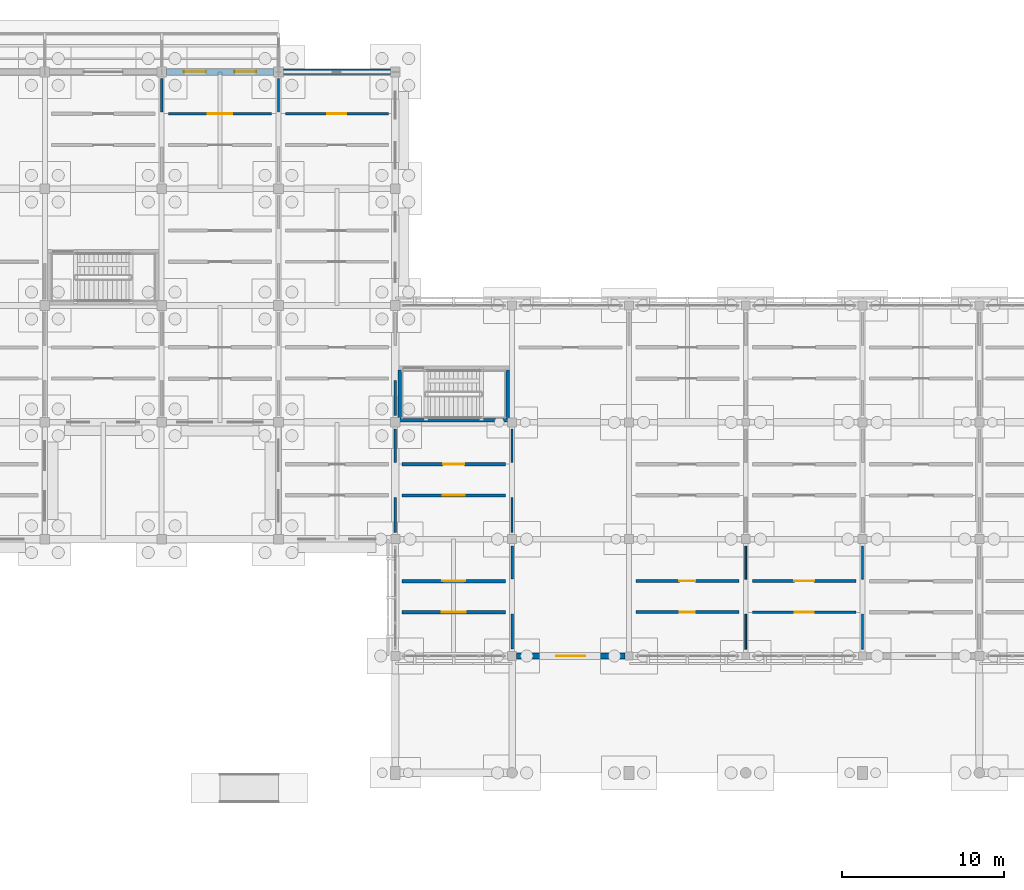
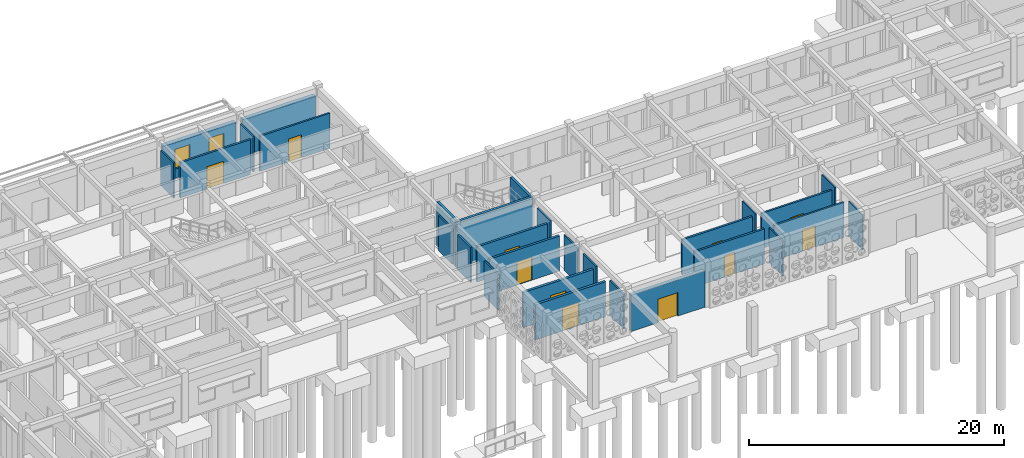
# One storey, part 72 of 111: 29 walls, 11 doors, 2 windows, 13 openings.
"""IFC4 building model written with IfcOpenShell, lengths in metres."""

import ifcopenshell
import ifcopenshell.guid

model = None  # the IFC model being written
_history = None  # IfcOwnerHistory: only IFC2X3 demands one
_inside = {}  # id of a spatial element -> (the spatial element, [elements in it])
_under = {}  # id of a project, library or spatial element -> (it, [spatial elements below it])
_declared = {}  # id of a project -> (the project, [libraries it declares])
_typed = {}  # id of a type object -> (the type object, [elements of that type])
_made_of = {}  # id of a material, layer set ... -> (it, [elements and type objects made of it])


def new_model(schema):
    """Start an empty IFC model of exactly this schema.

    Asked for "IFC4X3", IfcOpenShell would pick the latest addendum, in which some entities
    have other attributes; the version numbers below select the first issue.
    IFC2X3 requires an IfcOwnerHistory on every rooted entity: one is made here for all.
    """
    global model, _history
    if schema == "IFC4X3":
        model = ifcopenshell.file(schema_version=(4, 3, 0, 0))
    else:
        model = ifcopenshell.file(schema=schema)
    _inside.clear()
    _under.clear()
    _declared.clear()
    _typed.clear()
    _made_of.clear()
    _history = None
    if model.schema == "IFC2X3":
        org = make("IfcOrganization", Name="unknown")
        user = make(
            "IfcPersonAndOrganization",
            ThePerson=make("IfcPerson", FamilyName="unknown"),
            TheOrganization=org,
        )
        app = make(
            "IfcApplication",
            ApplicationDeveloper=org,
            Version="unknown",
            ApplicationFullName="unknown",
            ApplicationIdentifier="unknown",
        )
        _history = make(
            "IfcOwnerHistory",
            OwningUser=user,
            OwningApplication=app,
            ChangeAction="ADDED",
            CreationDate=0,
        )
    return model


def make(cls, **values):
    """One entity of the class cls with the attributes given. An attribute that is None is left unset."""
    return model.create_entity(
        cls, **{name: value for name, value in values.items() if value is not None}
    )


def rooted(cls, **values):
    """An entity with a GlobalId (a new one), such as an element, a storey or a relation."""
    return make(cls, GlobalId=ifcopenshell.guid.new(), OwnerHistory=_history, **values)


def si_unit(unit_type, name, prefix=None):
    """IfcSIUnit, for example si_unit("LENGTHUNIT", "METRE", prefix="MILLI")."""
    return make("IfcSIUnit", UnitType=unit_type, Prefix=prefix, Name=name)


def assignment(units):
    """IfcUnitAssignment: the units of a project."""
    return None if units is None else make("IfcUnitAssignment", Units=units)


def point(xyz):
    """IfcCartesianPoint."""
    return None if xyz is None else make("IfcCartesianPoint", Coordinates=xyz)


def direction(xyz):
    """IfcDirection."""
    return None if xyz is None else make("IfcDirection", DirectionRatios=xyz)


def frame(location, z_axis=None, x_axis=None):
    """IfcAxis2Placement3D, a coordinate frame: its origin and axes. An axis left out is left unset."""
    return make(
        "IfcAxis2Placement3D",
        Location=point(location),
        Axis=direction(z_axis),
        RefDirection=direction(x_axis),
    )


def frame_2d(location, x_axis=None):
    """IfcAxis2Placement2D, a coordinate frame in the plane: its origin and x axis."""
    return make(
        "IfcAxis2Placement2D", Location=point(location), RefDirection=direction(x_axis)
    )


def origin():
    """The frame at (0, 0, 0) with its axes left unset."""
    return frame((0.0, 0.0, 0.0))


def place(relative_to, where):
    """IfcLocalPlacement: puts the frame where relative to a parent placement (None: the world)."""
    return make(
        "IfcLocalPlacement", PlacementRelTo=relative_to, RelativePlacement=where
    )


def context(
    kind, dimensions, precision=None, world=None, true_north=None, identifier=None
):
    """IfcGeometricRepresentationContext, for example the 3D "Model" context."""
    return make(
        "IfcGeometricRepresentationContext",
        ContextIdentifier=identifier,
        ContextType=kind,
        CoordinateSpaceDimension=dimensions,
        Precision=precision,
        WorldCoordinateSystem=world,
        TrueNorth=true_north,
    )


def subcontext(parent, identifier, kind, view, scale=None):
    """IfcGeometricRepresentationSubContext, for example "Body" below "Model"."""
    return make(
        "IfcGeometricRepresentationSubContext",
        ContextIdentifier=identifier,
        ContextType=kind,
        ParentContext=parent,
        TargetScale=scale,
        TargetView=view,
    )


def project(units=None, contexts=None):
    """IfcProject with its units and contexts."""
    return rooted(
        "IfcProject",
        Name="project",
        RepresentationContexts=contexts,
        UnitsInContext=assignment(units),
    )


def spatial(cls, under=None, at=None, **own):
    """A site, building, storey or space (cls), placed at a placement, below another one or the project."""
    s = rooted(cls, ObjectPlacement=at, **own)
    if under is not None:
        _under.setdefault(under.id(), (under, []))[1].append(s)
    return s


def profile(cls, at=None, kind="AREA", **sizes):
    """A parametric profile (cls). Its sizes go by their IFC names, for example OverallWidth=200.0."""
    return make(cls, ProfileType=kind, Position=at, **sizes)


def rectangle(**sizes):
    """IfcRectangleProfileDef."""
    return profile("IfcRectangleProfileDef", **sizes)


def extrude(swept, where, along, depth):
    """IfcExtrudedAreaSolid: the profile swept, set in the frame where, extruded along a direction by depth."""
    return make(
        "IfcExtrudedAreaSolid",
        SweptArea=swept,
        Position=where,
        ExtrudedDirection=direction(along),
        Depth=depth,
    )


def shape(context_of_items, identifier, shape_type, items):
    """IfcShapeRepresentation: the items that make up one representation, for example the "Body"."""
    return make(
        "IfcShapeRepresentation",
        ContextOfItems=context_of_items,
        RepresentationIdentifier=identifier,
        RepresentationType=shape_type,
        Items=items,
    )


def material(Name=None, Category=None):
    """IfcMaterial."""
    return make("IfcMaterial", Name=Name, Category=Category)


def layer(
    of_material, thickness, ventilated=None, Name=None, Category=None, Priority=None
):
    """IfcMaterialLayer: one layer of a wall or slab, of a material (None: an air gap)."""
    return make(
        "IfcMaterialLayer",
        Material=of_material,
        LayerThickness=thickness,
        IsVentilated=ventilated,
        Name=Name,
        Category=Category,
        Priority=Priority,
    )


def layer_set(layers, Name=None):
    """IfcMaterialLayerSet."""
    return make("IfcMaterialLayerSet", MaterialLayers=layers, LayerSetName=Name)


def made_of(thing, what):
    """Note that an element or type object is made of a material, layer set ...; save() writes the relation."""
    if what is not None:
        _made_of.setdefault(what.id(), (what, []))[1].append(thing)
    return thing


def type_object(cls, material=None, **own):
    """A type object (cls), such as IfcWallType, which elements share."""
    return made_of(rooted(cls, **own), material)


def element(
    cls,
    number,
    at=None,
    inside=None,
    cuts=None,
    type_object=None,
    material=None,
    context=None,
    identifier="Body",
    shape_type=None,
    held_by="IfcProductDefinitionShape",
    body=None,
    shapes=None,
    **own,
):
    """One element of the class cls, such as IfcWall. Its Tag is "e" and its number.

    at: its placement. inside: the storey or other place that contains it. cuts: it is an
    opening in that element (IfcRelVoidsElement). A single representation is given by context,
    identifier, shape_type and body (its items); several are given by shapes. held_by: the class
    of the entity that holds the representations. save() writes the other relations.
    """
    e = rooted(cls, Tag="e%d" % number, ObjectPlacement=at, **own)
    if body is not None:
        shapes = [shape(context, identifier, shape_type, body)]
    if shapes is not None:
        e.Representation = make(held_by, Representations=shapes)
    if inside is not None:
        _inside.setdefault(inside.id(), (inside, []))[1].append(e)
    if cuts is not None:
        rooted(
            "IfcRelVoidsElement", RelatingBuildingElement=cuts, RelatedOpeningElement=e
        )
    if type_object is not None:
        _typed.setdefault(type_object.id(), (type_object, []))[1].append(e)
    return made_of(e, material)


def fill(opening, filler):
    """IfcRelFillsElement: the door or window that sits in an opening."""
    return rooted(
        "IfcRelFillsElement",
        RelatingOpeningElement=opening,
        RelatedBuildingElement=filler,
    )


def aggregate(whole, parts):
    """IfcRelAggregates: a whole, such as a stair, and the parts it consists of."""
    return rooted("IfcRelAggregates", RelatingObject=whole, RelatedObjects=parts)


def save(model, path):
    """Write the relations noted so far, then the file.

    IfcRelAggregates (storeys below a building ...), IfcRelContainedInSpatialStructure (elements
    in a storey), IfcRelDefinesByType, IfcRelAssociatesMaterial and IfcRelDeclares: one each for
    every whole, place, type object, material and project.
    """
    for whole, parts in _under.values():
        aggregate(whole, parts)
    for where, things in _inside.values():
        rooted(
            "IfcRelContainedInSpatialStructure",
            RelatedElements=things,
            RelatingStructure=where,
        )
    for kind, things in _typed.values():
        rooted("IfcRelDefinesByType", RelatedObjects=things, RelatingType=kind)
    for what, things in _made_of.values():
        rooted("IfcRelAssociatesMaterial", RelatedObjects=things, RelatingMaterial=what)
    for by, libraries in _declared.values():
        rooted("IfcRelDeclares", RelatingContext=by, RelatedDefinitions=libraries)
    model.write(path)


model = new_model("IFC4")

# Units and contexts
model_context = context("Model", 3, precision=1e-05, world=origin(), true_north=direction((0.0, 1.0)))
body_context = subcontext(model_context, "Body", "Model", "MODEL_VIEW")
ifc_project = project(units=[si_unit("LENGTHUNIT", "METRE"), si_unit("AREAUNIT", "SQUARE_METRE"), si_unit("VOLUMEUNIT", "CUBIC_METRE"), si_unit("PLANEANGLEUNIT", "RADIAN"), si_unit("MASSUNIT", "GRAM", prefix="KILO")], contexts=[model_context])

# Site, building, storey
site_placement = place(None, origin())
site = spatial("IfcSite", under=ifc_project, at=site_placement, CompositionType="ELEMENT")
building_placement = place(site_placement, origin())
building = spatial("IfcBuilding", under=site, at=building_placement, Name="Aldebral Square Health Centre", CompositionType="ELEMENT")
storey_placement = place(building_placement, origin())
storey = spatial("IfcBuildingStorey", under=building, at=storey_placement, Name="L00", CompositionType="ELEMENT", Elevation=0.0)

# Wall
ifc_material_1 = material(Name="Cream cantera stone and concrete wall C35/45", Category="masonry")
ifc_layer_1 = layer(ifc_material_1, 0.340087890625, Name="Cream cantera stone and concrete wall C35/45", Category="masonry")
ifc_layer_set_1 = layer_set([ifc_layer_1], Name="Cream cantera stone and concrete wall C35/45")
wall_type_1 = type_object("IfcWallType", Name="EW-CAN-340", PredefinedType="SOLIDWALL", material=ifc_layer_set_1)
wall_1_placement = place(storey_placement, frame((64.5, 115.199951171875, 0.0), z_axis=(0.0, 0.0, 1.0), x_axis=(-1.0, 0.0, 0.0)))
element("IfcWall", 1, at=wall_1_placement, inside=storey, type_object=wall_type_1, Name="L00 V2 exterior wall L00-V2-08-15-N", PredefinedType="SOLIDWALL", context=body_context, shape_type="SweptSolid", body=[
    extrude(rectangle(XDim=6.60009765625, YDim=0.340087890625, at=frame_2d((3.300048828125, 0.0))), origin(), (0.0, 0.0, 1.0), 3.469970703125),
])

# Wall, opening, door
wall_2_placement = place(storey_placement, frame((78.949951171875, 79.199951171875, 0.0), z_axis=(0.0, 0.0, 1.0), x_axis=(-1.0, 0.0, 0.0)))
wall_2 = element("IfcWall", 2, at=wall_2_placement, inside=storey, type_object=wall_type_1, Name="L00 V1 exterior wall L00-V1-10-11-S", PredefinedType="SOLIDWALL", context=body_context, shape_type="SweptSolid", body=[
    extrude(rectangle(XDim=6.675048828125, YDim=0.340087890625, at=frame_2d((3.33740234375, 0.0))), origin(), (0.0, 0.0, 1.0), 3.469970703125),
])
opening_1_placement = place(wall_2_placement, frame((2.4375, 0.0, 0.0)))
opening_1 = element("IfcOpeningElement", 3, at=opening_1_placement, cuts=wall_2, Name="Opening D-EX01", PredefinedType="OPENING", context=body_context, shape_type="SweptSolid", body=[
    extrude(rectangle(XDim=1.800048828125, YDim=2.25, at=frame_2d((0.89990234375, 1.125))), frame((0.0, 0.18017578125, 0.0), z_axis=(0.0, -1.0, 0.0), x_axis=(1.0, 0.0, 0.0)), (0.0, 0.0, 1.0), 0.360107421875),
])
ifc_material_2 = material(Name="Anodised aluminium and laminated safety glass", Category="aluminium")
door_type_1 = type_object("IfcDoorType", Name="DR-EX-180", OperationType="DOUBLE_DOOR_SINGLE_SWING", PredefinedType="DOOR", material=ifc_material_2)
door_1_placement = place(opening_1_placement, origin())
door_1 = element("IfcDoor", 4, at=door_1_placement, inside=storey, type_object=door_type_1, Name="L00 exterior door D-EX01", OperationType="DOUBLE_DOOR_SINGLE_SWING", OverallHeight=2.25, OverallWidth=1.800048828125, PredefinedType="DOOR", context=body_context, shape_type="SweptSolid", body=[
    extrude(rectangle(XDim=1.800048828125, YDim=2.25, at=frame_2d((0.89990234375, 1.125))), frame((0.0, 0.02490234375, 0.0), z_axis=(0.0, -1.0, 0.0), x_axis=(1.0, 0.0, 0.0)), (0.0, 0.0, 1.0), 0.050048828125),
])
fill(opening_1, door_1)

# Wall, openings, windows
ifc_layer_2 = layer(ifc_material_1, 0.360107421875, Name="Cream cantera stone and concrete wall C35/45", Category="masonry")
ifc_layer_set_2 = layer_set([ifc_layer_2], Name="Cream cantera stone and concrete wall C35/45")
wall_type_2 = type_object("IfcWallType", Name="EW-CAN-360", PredefinedType="SOLIDWALL", material=ifc_layer_set_2)
wall_3_placement = place(storey_placement, frame((57.300048828125, 115.199951171875, 0.0), z_axis=(0.0, 0.0, 1.0), x_axis=(-1.0, 0.0, 0.0)))
wall_3 = element("IfcWall", 5, at=wall_3_placement, inside=storey, type_object=wall_type_2, Name="L00 V2 exterior wall L00-V2-07-15-N", PredefinedType="SOLIDWALL", context=body_context, shape_type="SweptSolid", body=[
    extrude(rectangle(XDim=6.60009765625, YDim=0.360107421875, at=frame_2d((3.300048828125, 0.0))), origin(), (0.0, 0.0, 1.0), 3.469970703125),
])
opening_2_placement = place(wall_3_placement, frame((1.074951171875, 0.0, 0.89990234375)))
opening_2 = element("IfcOpeningElement", 6, at=opening_2_placement, cuts=wall_3, Name="Opening W49", PredefinedType="OPENING", context=body_context, shape_type="SweptSolid", body=[
    extrude(rectangle(XDim=1.35009765625, YDim=1.8798828125, at=frame_2d((0.675048828125, 0.93994140625))), frame((0.0, 0.18994140625, 0.0), z_axis=(0.0, -1.0, 0.0), x_axis=(1.0, 0.0, 0.0)), (0.0, 0.0, 1.0), 0.380126953125),
])
opening_3_placement = place(wall_3_placement, frame((4.175048828125, 0.0, 0.89990234375)))
opening_3 = element("IfcOpeningElement", 7, at=opening_3_placement, cuts=wall_3, Name="Opening W49", PredefinedType="OPENING", context=body_context, shape_type="SweptSolid", body=[
    extrude(rectangle(XDim=1.35009765625, YDim=1.8798828125, at=frame_2d((0.675048828125, 0.93994140625))), frame((0.0, 0.18994140625, 0.0), z_axis=(0.0, -1.0, 0.0), x_axis=(1.0, 0.0, 0.0)), (0.0, 0.0, 1.0), 0.380126953125),
])
ifc_material_3 = material(Name="Thermally broken aluminium and low-E glass", Category="aluminium")
window_type = type_object("IfcWindowType", Name="WIN-W49", PartitioningType="SINGLE_PANEL", PredefinedType="WINDOW", material=ifc_material_3)
window_1_placement = place(opening_2_placement, origin())
window_1 = element("IfcWindow", 8, at=window_1_placement, inside=storey, type_object=window_type, Name="L00 clinical window L00-V2-07-15-N.1", OverallHeight=1.8798828125, OverallWidth=1.35009765625, PartitioningType="SINGLE_PANEL", PredefinedType="WINDOW", context=body_context, shape_type="SweptSolid", body=[
    extrude(rectangle(XDim=1.35009765625, YDim=1.8798828125, at=frame_2d((0.675048828125, 0.93994140625))), frame((0.0, 0.030029296875, 0.0), z_axis=(0.0, -1.0, 0.0), x_axis=(1.0, 0.0, 0.0)), (0.0, 0.0, 1.0), 0.06005859375),
])
fill(opening_2, window_1)
window_2_placement = place(opening_3_placement, origin())
window_2 = element("IfcWindow", 9, at=window_2_placement, inside=storey, type_object=window_type, Name="L00 clinical window L00-V2-07-15-N.2", OverallHeight=1.8798828125, OverallWidth=1.35009765625, PartitioningType="SINGLE_PANEL", PredefinedType="WINDOW", context=body_context, shape_type="SweptSolid", body=[
    extrude(rectangle(XDim=1.35009765625, YDim=1.8798828125, at=frame_2d((0.675048828125, 0.93994140625))), frame((0.0, 0.030029296875, 0.0), z_axis=(0.0, -1.0, 0.0), x_axis=(1.0, 0.0, 0.0)), (0.0, 0.0, 1.0), 0.06005859375),
])
fill(opening_3, window_2)

# Wall, opening, door
ifc_material_4 = material(Name="Concrete C35/45 compartment wall", Category="concrete")
ifc_layer_3 = layer(ifc_material_4, 0.199951171875, Name="Concrete C35/45 compartment wall", Category="concrete")
ifc_layer_set_3 = layer_set([ifc_layer_3], Name="Concrete C35/45 compartment wall")
wall_type_3 = type_object("IfcWallType", Name="IW-CMP-200", PredefinedType="SOLIDWALL", material=ifc_layer_set_3)
wall_4_placement = place(storey_placement, frame((65.219970703125, 89.10009765625, 0.0), z_axis=(0.0, 0.0, 1.0), x_axis=(1.0, 0.0, 0.0)))
wall_4 = element("IfcWall", 10, at=wall_4_placement, inside=storey, type_object=wall_type_3, Name="L00 Pharmacy Dispensary 10.13S corridor wall", PredefinedType="SOLIDWALL", context=body_context, shape_type="SweptSolid", body=[
    extrude(rectangle(XDim=6.360107421875, YDim=0.199951171875, at=frame_2d((3.18017578125, 0.0))), origin(), (0.0, 0.0, 1.0), 3.360107421875),
])
opening_4_placement = place(wall_4_placement, frame((2.5048828125, 0.0, 0.0)))
opening_4 = element("IfcOpeningElement", 11, at=opening_4_placement, cuts=wall_4, Name="Opening D-FD60-3", PredefinedType="OPENING", context=body_context, shape_type="SweptSolid", body=[
    extrude(rectangle(XDim=1.35009765625, YDim=2.199951171875, at=frame_2d((0.675048828125, 1.10009765625))), frame((0.0, 0.10986328125, 0.0), z_axis=(0.0, -1.0, 0.0), x_axis=(1.0, 0.0, 0.0)), (0.0, 0.0, 1.0), 0.219970703125),
])
ifc_material_5 = material(Name="Lead-lined imaging suite door")
door_type_2 = type_object("IfcDoorType", Name="ID-IM-135", OperationType="NOTDEFINED", PredefinedType="DOOR", material=ifc_material_5)
door_2_placement = place(opening_4_placement, origin())
door_2 = element("IfcDoor", 12, at=door_2_placement, inside=storey, type_object=door_type_2, Name="L00 Pharmacy Dispensary 10.13S door", OperationType="SINGLE_SWING_RIGHT", OverallHeight=2.199951171875, OverallWidth=1.35009765625, PredefinedType="DOOR", context=body_context, shape_type="SweptSolid", body=[
    extrude(rectangle(XDim=1.35009765625, YDim=2.199951171875, at=frame_2d((0.675048828125, 1.10009765625))), frame((0.0, 0.02490234375, 0.0), z_axis=(0.0, -1.0, 0.0), x_axis=(1.0, 0.0, 0.0)), (0.0, 0.0, 1.0), 0.050048828125),
])
fill(opening_4, door_2)

wall_5_placement = place(storey_placement, frame((65.219970703125, 91.02001953125, 0.0), z_axis=(0.0, 0.0, 1.0), x_axis=(1.0, 0.0, 0.0)))
wall_5 = element("IfcWall", 13, at=wall_5_placement, inside=storey, type_object=wall_type_3, Name="L00 Pharmacy Controlled Store 10.13N corridor wall", PredefinedType="SOLIDWALL", context=body_context, shape_type="SweptSolid", body=[
    extrude(rectangle(XDim=6.360107421875, YDim=0.199951171875, at=frame_2d((3.18017578125, 0.0))), origin(), (0.0, 0.0, 1.0), 3.360107421875),
])
opening_5_placement = place(wall_5_placement, frame((2.530029296875, 0.0, 0.0)))
opening_5 = element("IfcOpeningElement", 14, at=opening_5_placement, cuts=wall_5, Name="Opening D-FD60-4", PredefinedType="OPENING", context=body_context, shape_type="SweptSolid", body=[
    extrude(rectangle(XDim=1.300048828125, YDim=2.14990234375, at=frame_2d((0.64990234375, 1.074951171875))), frame((0.0, 0.10986328125, 0.0), z_axis=(0.0, -1.0, 0.0), x_axis=(1.0, 0.0, 0.0)), (0.0, 0.0, 1.0), 0.219970703125),
])
ifc_material_6 = material(Name="Radiography shielded fire door")
door_type_3 = type_object("IfcDoorType", Name="ID-IM-130", OperationType="NOTDEFINED", PredefinedType="DOOR", material=ifc_material_6)
door_3_placement = place(opening_5_placement, origin())
door_3 = element("IfcDoor", 15, at=door_3_placement, inside=storey, type_object=door_type_3, Name="L00 Pharmacy Controlled Store 10.13N door", OperationType="SINGLE_SWING_LEFT", OverallHeight=2.14990234375, OverallWidth=1.300048828125, PredefinedType="DOOR", context=body_context, shape_type="SweptSolid", body=[
    extrude(rectangle(XDim=1.300048828125, YDim=2.14990234375, at=frame_2d((0.64990234375, 1.074951171875))), frame((0.0, 0.02490234375, 0.0), z_axis=(0.0, -1.0, 0.0), x_axis=(1.0, 0.0, 0.0)), (0.0, 0.0, 1.0), 0.050048828125),
])
fill(opening_5, door_3)

ifc_layer_4 = layer(ifc_material_4, 0.219970703125, Name="Concrete C35/45 compartment wall", Category="concrete")
ifc_layer_set_4 = layer_set([ifc_layer_4], Name="Concrete C35/45 compartment wall")
wall_type_4 = type_object("IfcWallType", Name="IW-CMP-220", PredefinedType="SOLIDWALL", material=ifc_layer_set_4)
wall_6_placement = place(storey_placement, frame((65.219970703125, 81.89990234375, 0.0), z_axis=(0.0, 0.0, 1.0), x_axis=(1.0, 0.0, 0.0)))
wall_6 = element("IfcWall", 16, at=wall_6_placement, inside=storey, type_object=wall_type_4, Name="L00 Waiting Hall 10.12S corridor wall", PredefinedType="SOLIDWALL", context=body_context, shape_type="SweptSolid", body=[
    extrude(rectangle(XDim=6.360107421875, YDim=0.219970703125, at=frame_2d((3.18017578125, 0.0))), origin(), (0.0, 0.0, 1.0), 3.360107421875),
])
opening_6_placement = place(wall_6_placement, frame((2.429931640625, 0.0, 0.0)))
opening_6 = element("IfcOpeningElement", 17, at=opening_6_placement, cuts=wall_6, Name="Opening D-FD60-1", PredefinedType="OPENING", context=body_context, shape_type="SweptSolid", body=[
    extrude(rectangle(XDim=1.5, YDim=2.199951171875, at=frame_2d((0.75, 1.10009765625))), frame((0.0, 0.1201171875, 0.0), z_axis=(0.0, -1.0, 0.0), x_axis=(1.0, 0.0, 0.0)), (0.0, 0.0, 1.0), 0.239990234375),
])
ifc_material_7 = material(Name="Surgical suite double-leaf fire door")
door_type_4 = type_object("IfcDoorType", Name="ID-OR-150", OperationType="NOTDEFINED", PredefinedType="DOOR", material=ifc_material_7)
door_4_placement = place(opening_6_placement, origin())
door_4 = element("IfcDoor", 18, at=door_4_placement, inside=storey, type_object=door_type_4, Name="L00 Waiting Hall 10.12S door", OperationType="SINGLE_SWING_RIGHT", OverallHeight=2.199951171875, OverallWidth=1.5, PredefinedType="DOOR", context=body_context, shape_type="SweptSolid", body=[
    extrude(rectangle(XDim=1.5, YDim=2.199951171875, at=frame_2d((0.75, 1.10009765625))), frame((0.0, 0.02490234375, 0.0), z_axis=(0.0, -1.0, 0.0), x_axis=(1.0, 0.0, 0.0)), (0.0, 0.0, 1.0), 0.050048828125),
])
fill(opening_6, door_4)

wall_7_placement = place(storey_placement, frame((65.219970703125, 83.820068359375, 0.0), z_axis=(0.0, 0.0, 1.0), x_axis=(1.0, 0.0, 0.0)))
wall_7 = element("IfcWall", 19, at=wall_7_placement, inside=storey, type_object=wall_type_4, Name="L00 Outpatient Registration 10.12N corridor wall", PredefinedType="SOLIDWALL", context=body_context, shape_type="SweptSolid", body=[
    extrude(rectangle(XDim=6.360107421875, YDim=0.219970703125, at=frame_2d((3.18017578125, 0.0))), origin(), (0.0, 0.0, 1.0), 3.360107421875),
])
opening_7_placement = place(wall_7_placement, frame((2.47998046875, 0.0, 0.0)))
opening_7 = element("IfcOpeningElement", 20, at=opening_7_placement, cuts=wall_7, Name="Opening D-FD60-2", PredefinedType="OPENING", context=body_context, shape_type="SweptSolid", body=[
    extrude(rectangle(XDim=1.39990234375, YDim=2.199951171875, at=frame_2d((0.699951171875, 1.10009765625))), frame((0.0, 0.1201171875, 0.0), z_axis=(0.0, -1.0, 0.0), x_axis=(1.0, 0.0, 0.0)), (0.0, 0.0, 1.0), 0.239990234375),
])
ifc_material_8 = material(Name="Surgical recovery fire door")
door_type_5 = type_object("IfcDoorType", Name="ID-OR-140", OperationType="NOTDEFINED", PredefinedType="DOOR", material=ifc_material_8)
door_5_placement = place(opening_7_placement, origin())
door_5 = element("IfcDoor", 21, at=door_5_placement, inside=storey, type_object=door_type_5, Name="L00 Outpatient Registration 10.12N door", OperationType="SINGLE_SWING_LEFT", OverallHeight=2.199951171875, OverallWidth=1.39990234375, PredefinedType="DOOR", context=body_context, shape_type="SweptSolid", body=[
    extrude(rectangle(XDim=1.39990234375, YDim=2.199951171875, at=frame_2d((0.699951171875, 1.10009765625))), frame((0.0, 0.02490234375, 0.0), z_axis=(0.0, -1.0, 0.0), x_axis=(1.0, 0.0, 0.0)), (0.0, 0.0, 1.0), 0.050048828125),
])
fill(opening_7, door_5)

ifc_material_9 = material(Name="Fire-rated acoustic gypsum partition")
ifc_layer_5 = layer(ifc_material_9, 0.1650390625, Name="Fire-rated acoustic gypsum partition")
ifc_layer_set_5 = layer_set([ifc_layer_5], Name="Fire-rated acoustic gypsum partition")
wall_type_5 = type_object("IfcWallType", Name="IW-COR-165", PredefinedType="PARTITIONING", material=ifc_layer_set_5)
wall_8_placement = place(storey_placement, frame((86.820068359375, 81.89990234375, 0.0), z_axis=(0.0, 0.0, 1.0), x_axis=(1.0, 0.0, 0.0)))
wall_8 = element("IfcWall", 22, at=wall_8_placement, inside=storey, type_object=wall_type_5, Name="L00 Pharmacy Dispensary 13.12S corridor wall", PredefinedType="PARTITIONING", context=body_context, shape_type="SweptSolid", body=[
    extrude(rectangle(XDim=6.35986328125, YDim=0.1650390625, at=frame_2d((3.179931640625, 0.0))), origin(), (0.0, 0.0, 1.0), 3.360107421875),
])
opening_8_placement = place(wall_8_placement, frame((2.590087890625, 0.0, 0.0)))
opening_8 = element("IfcOpeningElement", 23, at=opening_8_placement, cuts=wall_8, Name="Opening D-FD60-12", PredefinedType="OPENING", context=body_context, shape_type="SweptSolid", body=[
    extrude(rectangle(XDim=1.179931640625, YDim=2.0400390625, at=frame_2d((0.58984375, 1.02001953125))), frame((0.0, 0.092529296875, 0.0), z_axis=(0.0, -1.0, 0.0), x_axis=(1.0, 0.0, 0.0)), (0.0, 0.0, 1.0), 0.18505859375),
])
ifc_material_10 = material(Name="Clinical suite fire door")
door_type_6 = type_object("IfcDoorType", Name="ID-EXD-07", OperationType="NOTDEFINED", PredefinedType="DOOR", material=ifc_material_10)
door_6_placement = place(opening_8_placement, origin())
door_6 = element("IfcDoor", 24, at=door_6_placement, inside=storey, type_object=door_type_6, Name="L00 Pharmacy Dispensary 13.12S door", OperationType="SINGLE_SWING_LEFT", OverallHeight=2.0400390625, OverallWidth=1.179931640625, PredefinedType="DOOR", context=body_context, shape_type="SweptSolid", body=[
    extrude(rectangle(XDim=1.179931640625, YDim=2.0400390625, at=frame_2d((0.58984375, 1.02001953125))), frame((0.0, 0.02490234375, 0.0), z_axis=(0.0, -1.0, 0.0), x_axis=(1.0, 0.0, 0.0)), (0.0, 0.0, 1.0), 0.050048828125),
])
fill(opening_8, door_6)

wall_9_placement = place(storey_placement, frame((86.820068359375, 83.820068359375, 0.0), z_axis=(0.0, 0.0, 1.0), x_axis=(1.0, 0.0, 0.0)))
wall_9 = element("IfcWall", 25, at=wall_9_placement, inside=storey, type_object=wall_type_5, Name="L00 Pharmacy Controlled Store 13.12N corridor wall", PredefinedType="PARTITIONING", context=body_context, shape_type="SweptSolid", body=[
    extrude(rectangle(XDim=6.35986328125, YDim=0.1650390625, at=frame_2d((3.179931640625, 0.0))), origin(), (0.0, 0.0, 1.0), 3.360107421875),
])
opening_9_placement = place(wall_9_placement, frame((2.570068359375, 0.0, 0.0)))
opening_9 = element("IfcOpeningElement", 26, at=opening_9_placement, cuts=wall_9, Name="Opening D-FD60-13", PredefinedType="OPENING", context=body_context, shape_type="SweptSolid", body=[
    extrude(rectangle(XDim=1.219970703125, YDim=2.0400390625, at=frame_2d((0.60986328125, 1.02001953125))), frame((0.0, 0.092529296875, 0.0), z_axis=(0.0, -1.0, 0.0), x_axis=(1.0, 0.0, 0.0)), (0.0, 0.0, 1.0), 0.18505859375),
])
door_type_7 = type_object("IfcDoorType", Name="ID-EXD-08", OperationType="NOTDEFINED", PredefinedType="DOOR", material=ifc_material_10)
door_7_placement = place(opening_9_placement, origin())
door_7 = element("IfcDoor", 27, at=door_7_placement, inside=storey, type_object=door_type_7, Name="L00 Pharmacy Controlled Store 13.12N door", OperationType="SINGLE_SWING_RIGHT", OverallHeight=2.0400390625, OverallWidth=1.219970703125, PredefinedType="DOOR", context=body_context, shape_type="SweptSolid", body=[
    extrude(rectangle(XDim=1.219970703125, YDim=2.0400390625, at=frame_2d((0.60986328125, 1.02001953125))), frame((0.0, 0.02490234375, 0.0), z_axis=(0.0, -1.0, 0.0), x_axis=(1.0, 0.0, 0.0)), (0.0, 0.0, 1.0), 0.050048828125),
])
fill(opening_9, door_7)

wall_10_placement = place(storey_placement, frame((58.02001953125, 112.6201171875, 0.0), z_axis=(0.0, 0.0, 1.0), x_axis=(1.0, 0.0, 0.0)))
wall_10 = element("IfcWall", 28, at=wall_10_placement, inside=storey, type_object=wall_type_5, Name="L00 Urgent Triage Exam 9.16N corridor wall", PredefinedType="PARTITIONING", context=body_context, shape_type="SweptSolid", body=[
    extrude(rectangle(XDim=6.35986328125, YDim=0.1650390625, at=frame_2d((3.179931640625, 0.0))), origin(), (0.0, 0.0, 1.0), 3.360107421875),
])
opening_10_placement = place(wall_10_placement, frame((2.590087890625, 0.0, 0.0)))
opening_10 = element("IfcOpeningElement", 29, at=opening_10_placement, cuts=wall_10, Name="Opening D-FD60-60", PredefinedType="OPENING", context=body_context, shape_type="SweptSolid", body=[
    extrude(rectangle(XDim=1.179931640625, YDim=2.18994140625, at=frame_2d((0.58984375, 1.094970703125))), frame((0.0, 0.092529296875, 0.0), z_axis=(0.0, -1.0, 0.0), x_axis=(1.0, 0.0, 0.0)), (0.0, 0.0, 1.0), 0.18505859375),
])
door_type_8 = type_object("IfcDoorType", Name="ID-EXD-55", OperationType="NOTDEFINED", PredefinedType="DOOR", material=ifc_material_10)
door_8_placement = place(opening_10_placement, origin())
door_8 = element("IfcDoor", 30, at=door_8_placement, inside=storey, type_object=door_type_8, Name="L00 Urgent Triage Exam 9.16N door", OperationType="SINGLE_SWING_LEFT", OverallHeight=2.18994140625, OverallWidth=1.179931640625, PredefinedType="DOOR", context=body_context, shape_type="SweptSolid", body=[
    extrude(rectangle(XDim=1.179931640625, YDim=2.18994140625, at=frame_2d((0.58984375, 1.094970703125))), frame((0.0, 0.02490234375, 0.0), z_axis=(0.0, -1.0, 0.0), x_axis=(1.0, 0.0, 0.0)), (0.0, 0.0, 1.0), 0.050048828125),
])
fill(opening_10, door_8)

ifc_layer_6 = layer(ifc_material_9, 0.179931640625, Name="Fire-rated acoustic gypsum partition")
ifc_layer_set_6 = layer_set([ifc_layer_6], Name="Fire-rated acoustic gypsum partition")
wall_type_6 = type_object("IfcWallType", Name="IW-COR-180", PredefinedType="PARTITIONING", material=ifc_layer_set_6)
wall_11_placement = place(storey_placement, frame((79.6201171875, 81.89990234375, 0.0), z_axis=(0.0, 0.0, 1.0), x_axis=(1.0, 0.0, 0.0)))
wall_11 = element("IfcWall", 31, at=wall_11_placement, inside=storey, type_object=wall_type_6, Name="L00 Community Cafe 12.12S corridor wall", PredefinedType="PARTITIONING", context=body_context, shape_type="SweptSolid", body=[
    extrude(rectangle(XDim=6.35986328125, YDim=0.179931640625, at=frame_2d((3.179931640625, 0.0))), origin(), (0.0, 0.0, 1.0), 3.360107421875),
])
opening_11_placement = place(wall_11_placement, frame((2.7099609375, 0.0, 0.0)))
opening_11 = element("IfcOpeningElement", 32, at=opening_11_placement, cuts=wall_11, Name="Opening D-FD60-6", PredefinedType="OPENING", context=body_context, shape_type="SweptSolid", body=[
    extrude(rectangle(XDim=0.93994140625, YDim=2.0400390625, at=frame_2d((0.469970703125, 1.02001953125))), frame((0.0, 0.10009765625, 0.0), z_axis=(0.0, -1.0, 0.0), x_axis=(1.0, 0.0, 0.0)), (0.0, 0.0, 1.0), 0.199951171875),
])
door_type_9 = type_object("IfcDoorType", Name="ID-EXD-01", OperationType="NOTDEFINED", PredefinedType="DOOR", material=ifc_material_10)
door_9_placement = place(opening_11_placement, origin())
door_9 = element("IfcDoor", 33, at=door_9_placement, inside=storey, type_object=door_type_9, Name="L00 Community Cafe 12.12S door", OperationType="SINGLE_SWING_LEFT", OverallHeight=2.0400390625, OverallWidth=0.93994140625, PredefinedType="DOOR", context=body_context, shape_type="SweptSolid", body=[
    extrude(rectangle(XDim=0.93994140625, YDim=2.0400390625, at=frame_2d((0.469970703125, 1.02001953125))), frame((0.0, 0.02490234375, 0.0), z_axis=(0.0, -1.0, 0.0), x_axis=(1.0, 0.0, 0.0)), (0.0, 0.0, 1.0), 0.050048828125),
])
fill(opening_11, door_9)

wall_12_placement = place(storey_placement, frame((79.6201171875, 83.820068359375, 0.0), z_axis=(0.0, 0.0, 1.0), x_axis=(1.0, 0.0, 0.0)))
wall_12 = element("IfcWall", 34, at=wall_12_placement, inside=storey, type_object=wall_type_6, Name="L00 Health Shop 12.12N corridor wall", PredefinedType="PARTITIONING", context=body_context, shape_type="SweptSolid", body=[
    extrude(rectangle(XDim=6.35986328125, YDim=0.179931640625, at=frame_2d((3.179931640625, 0.0))), origin(), (0.0, 0.0, 1.0), 3.360107421875),
])
opening_12_placement = place(wall_12_placement, frame((2.68994140625, 0.0, 0.0)))
opening_12 = element("IfcOpeningElement", 35, at=opening_12_placement, cuts=wall_12, Name="Opening D-FD60-7", PredefinedType="OPENING", context=body_context, shape_type="SweptSolid", body=[
    extrude(rectangle(XDim=0.97998046875, YDim=2.0400390625, at=frame_2d((0.489990234375, 1.02001953125))), frame((0.0, 0.10009765625, 0.0), z_axis=(0.0, -1.0, 0.0), x_axis=(1.0, 0.0, 0.0)), (0.0, 0.0, 1.0), 0.199951171875),
])
door_type_10 = type_object("IfcDoorType", Name="ID-EXD-02", OperationType="NOTDEFINED", PredefinedType="DOOR", material=ifc_material_10)
door_10_placement = place(opening_12_placement, origin())
door_10 = element("IfcDoor", 36, at=door_10_placement, inside=storey, type_object=door_type_10, Name="L00 Health Shop 12.12N door", OperationType="SINGLE_SWING_RIGHT", OverallHeight=2.0400390625, OverallWidth=0.97998046875, PredefinedType="DOOR", context=body_context, shape_type="SweptSolid", body=[
    extrude(rectangle(XDim=0.97998046875, YDim=2.0400390625, at=frame_2d((0.489990234375, 1.02001953125))), frame((0.0, 0.02490234375, 0.0), z_axis=(0.0, -1.0, 0.0), x_axis=(1.0, 0.0, 0.0)), (0.0, 0.0, 1.0), 0.050048828125),
])
fill(opening_12, door_10)

wall_13_placement = place(storey_placement, frame((50.820068359375, 112.6201171875, 0.0), z_axis=(0.0, 0.0, 1.0), x_axis=(1.0, 0.0, 0.0)))
wall_13 = element("IfcWall", 37, at=wall_13_placement, inside=storey, type_object=wall_type_6, Name="L00 Observation Bay 8.16N corridor wall", PredefinedType="PARTITIONING", context=body_context, shape_type="SweptSolid", body=[
    extrude(rectangle(XDim=6.35986328125, YDim=0.179931640625, at=frame_2d((3.179931640625, 0.0))), origin(), (0.0, 0.0, 1.0), 3.360107421875),
])
opening_13_placement = place(wall_13_placement, frame((2.429931640625, 0.0, 0.0)))
opening_13 = element("IfcOpeningElement", 38, at=opening_13_placement, cuts=wall_13, Name="Opening D-FD60-52", PredefinedType="OPENING", context=body_context, shape_type="SweptSolid", body=[
    extrude(rectangle(XDim=1.5, YDim=2.139892578125, at=frame_2d((0.75, 1.06982421875))), frame((0.0, 0.10009765625, 0.0), z_axis=(0.0, -1.0, 0.0), x_axis=(1.0, 0.0, 0.0)), (0.0, 0.0, 1.0), 0.199951171875),
])
door_type_11 = type_object("IfcDoorType", Name="ID-EXD-47", OperationType="NOTDEFINED", PredefinedType="DOOR", material=ifc_material_10)
door_11_placement = place(opening_13_placement, origin())
door_11 = element("IfcDoor", 39, at=door_11_placement, inside=storey, type_object=door_type_11, Name="L00 Observation Bay 8.16N door", OperationType="SINGLE_SWING_LEFT", OverallHeight=2.139892578125, OverallWidth=1.5, PredefinedType="DOOR", context=body_context, shape_type="SweptSolid", body=[
    extrude(rectangle(XDim=1.5, YDim=2.139892578125, at=frame_2d((0.75, 1.06982421875))), frame((0.0, 0.02490234375, 0.0), z_axis=(0.0, -1.0, 0.0), x_axis=(1.0, 0.0, 0.0)), (0.0, 0.0, 1.0), 0.050048828125),
])
fill(opening_13, door_11)

# Walls
ifc_material_11 = material(Name="Concrete C40/50", Category="concrete")
ifc_layer_7 = layer(ifc_material_11, 0.219970703125, Name="Concrete C40/50", Category="concrete")
ifc_layer_set_7 = layer_set([ifc_layer_7], Name="Concrete C40/50")
wall_type_7 = type_object("IfcWallType", Name="IW-CORE-280", PredefinedType="SHEAR", material=ifc_layer_set_7)
wall_14_placement = place(storey_placement, frame((64.9599609375, 93.72998046875, -0.25), z_axis=(0.0, 0.0, 1.0), x_axis=(1.0, 0.0, 0.0)))
element("IfcWall", 40, at=wall_14_placement, inside=storey, type_object=wall_type_7, Name="L00 WS-S7 shaft wall S", PredefinedType="SHEAR", context=body_context, shape_type="SweptSolid", body=[
    extrude(rectangle(XDim=6.880126953125, YDim=0.219970703125, at=frame_2d((3.43994140625, 0.0))), origin(), (0.0, 0.0, 1.0), 4.469970703125),
])
for number, where, z_axis, x_axis, name in (
    (41, (65.070068359375, 93.840087890625, -0.25), (0.0, 0.0, 1.0), (0.0, 1.0, 0.0), "L00 WS-S7 shaft wall W"),
    (42, (71.72998046875, 93.840087890625, -0.25), (0.0, 0.0, 1.0), (0.0, 1.0, 0.0), "L00 WS-S7 shaft wall E"),
):
    element("IfcWall", number, at=place(storey_placement, frame(where, z_axis=z_axis, x_axis=x_axis)), inside=storey, type_object=wall_type_7, Name=name, PredefinedType="SHEAR", context=body_context, shape_type="SweptSolid", body=[
        extrude(rectangle(XDim=3.0, YDim=0.219970703125, at=frame_2d((1.5, 0.0))), origin(), (0.0, 0.0, 1.0), 4.469970703125),
    ])
ifc_material_12 = material(Name="Lightweight clinical partition")
ifc_layer_8 = layer(ifc_material_12, 0.10498046875, Name="Lightweight clinical partition")
ifc_layer_set_8 = layer_set([ifc_layer_8], Name="Lightweight clinical partition")
wall_type_8 = type_object("IfcWallType", Name="IW-PRT-105", PredefinedType="PARTITIONING", material=ifc_layer_set_8)
wall_15_placement = place(storey_placement, frame((93.60009765625, 79.6201171875, 0.0), z_axis=(0.0, 0.0, 1.0), x_axis=(0.0, 1.0, 0.0)))
element("IfcWall", 43, at=wall_15_placement, inside=storey, type_object=wall_type_8, Name="L00 Pharmacy Dispensary 13.12S demising partition", PredefinedType="PARTITIONING", context=body_context, shape_type="SweptSolid", body=[
    extrude(rectangle(XDim=2.159912109375, YDim=0.10498046875, at=frame_2d((1.080078125, 0.0))), origin(), (0.0, 0.0, 1.0), 3.360107421875),
])
wall_16_placement = place(storey_placement, frame((93.60009765625, 83.93994140625, 0.0), z_axis=(0.0, 0.0, 1.0), x_axis=(0.0, 1.0, 0.0)))
element("IfcWall", 44, at=wall_16_placement, inside=storey, type_object=wall_type_8, Name="L00 Pharmacy Controlled Store 13.12N demising partition", PredefinedType="PARTITIONING", context=body_context, shape_type="SweptSolid", body=[
    extrude(rectangle(XDim=2.0400390625, YDim=0.10498046875, at=frame_2d((1.02001953125, 0.0))), origin(), (0.0, 0.0, 1.0), 3.360107421875),
])
ifc_material_13 = material(Name="Acoustic clinical gypsum partition")
ifc_layer_9 = layer(ifc_material_13, 0.1201171875, Name="Acoustic clinical gypsum partition")
ifc_layer_set_9 = layer_set([ifc_layer_9], Name="Acoustic clinical gypsum partition")
wall_type_9 = type_object("IfcWallType", Name="IW-PRT-120", PredefinedType="PARTITIONING", material=ifc_layer_set_9)
wall_17_placement = place(storey_placement, frame((86.39990234375, 79.6201171875, 0.0), z_axis=(0.0, 0.0, 1.0), x_axis=(0.0, 1.0, 0.0)))
element("IfcWall", 45, at=wall_17_placement, inside=storey, type_object=wall_type_9, Name="L00 Community Cafe 12.12S demising partition", PredefinedType="PARTITIONING", context=body_context, shape_type="SweptSolid", body=[
    extrude(rectangle(XDim=2.159912109375, YDim=0.1201171875, at=frame_2d((1.080078125, 0.0))), origin(), (0.0, 0.0, 1.0), 3.360107421875),
])
for number, where, z_axis, x_axis, name in (
    (46, (86.39990234375, 83.93994140625, 0.0), (0.0, 0.0, 1.0), (0.0, 1.0, 0.0), "L00 Health Shop 12.12N demising partition"),
    (47, (57.60009765625, 112.739990234375, 0.0), (0.0, 0.0, 1.0), (0.0, 1.0, 0.0), "L00 Observation Bay 8.16N demising partition"),
):
    element("IfcWall", number, at=place(storey_placement, frame(where, z_axis=z_axis, x_axis=x_axis)), inside=storey, type_object=wall_type_9, Name=name, PredefinedType="PARTITIONING", context=body_context, shape_type="SweptSolid", body=[
        extrude(rectangle(XDim=2.0400390625, YDim=0.1201171875, at=frame_2d((1.02001953125, 0.0))), origin(), (0.0, 0.0, 1.0), 3.360107421875),
    ])
ifc_layer_10 = layer(ifc_material_13, 0.135009765625, Name="Acoustic clinical gypsum partition")
ifc_layer_set_10 = layer_set([ifc_layer_10], Name="Acoustic clinical gypsum partition")
wall_type_10 = type_object("IfcWallType", Name="IW-PRT-135", PredefinedType="PARTITIONING", material=ifc_layer_set_10)
wall_18_placement = place(storey_placement, frame((72.0, 86.820068359375, 0.0), z_axis=(0.0, 0.0, 1.0), x_axis=(0.0, 1.0, 0.0)))
element("IfcWall", 48, at=wall_18_placement, inside=storey, type_object=wall_type_10, Name="L00 Pharmacy Dispensary 10.13S demising partition", PredefinedType="PARTITIONING", context=body_context, shape_type="SweptSolid", body=[
    extrude(rectangle(XDim=2.159912109375, YDim=0.135009765625, at=frame_2d((1.080078125, 0.0))), origin(), (0.0, 0.0, 1.0), 3.360107421875),
])
for number, where, z_axis, x_axis, name in (
    (49, (72.0, 91.139892578125, 0.0), (0.0, 0.0, 1.0), (0.0, 1.0, 0.0), "L00 Pharmacy Controlled Store 10.13N demising partition"),
    (50, (50.39990234375, 112.739990234375, 0.0), (0.0, 0.0, 1.0), (0.0, 1.0, 0.0), "L00 Central Chiller Plant Room 7.16N demising partition"),
):
    element("IfcWall", number, at=place(storey_placement, frame(where, z_axis=z_axis, x_axis=x_axis)), inside=storey, type_object=wall_type_10, Name=name, PredefinedType="PARTITIONING", context=body_context, shape_type="SweptSolid", body=[
        extrude(rectangle(XDim=2.0400390625, YDim=0.135009765625, at=frame_2d((1.02001953125, 0.0))), origin(), (0.0, 0.0, 1.0), 3.360107421875),
    ])
wall_19_placement = place(storey_placement, frame((64.800048828125, 94.02001953125, 0.0), z_axis=(0.0, 0.0, 1.0), x_axis=(0.0, 1.0, 0.0)))
element("IfcWall", 51, at=wall_19_placement, inside=storey, type_object=wall_type_10, Name="L00 Central Chiller Plant Room 9.14S demising partition", PredefinedType="PARTITIONING", context=body_context, shape_type="SweptSolid", body=[
    extrude(rectangle(XDim=2.159912109375, YDim=0.135009765625, at=frame_2d((1.080078125, 0.0))), origin(), (0.0, 0.0, 1.0), 3.360107421875),
])
ifc_layer_11 = layer(ifc_material_13, 0.14990234375, Name="Acoustic clinical gypsum partition")
ifc_layer_set_11 = layer_set([ifc_layer_11], Name="Acoustic clinical gypsum partition")
wall_type_11 = type_object("IfcWallType", Name="IW-PRT-150", PredefinedType="PARTITIONING", material=ifc_layer_set_11)
wall_20_placement = place(storey_placement, frame((72.0, 79.6201171875, 0.0), z_axis=(0.0, 0.0, 1.0), x_axis=(0.0, 1.0, 0.0)))
element("IfcWall", 52, at=wall_20_placement, inside=storey, type_object=wall_type_11, Name="L00 Waiting Hall 10.12S demising partition", PredefinedType="PARTITIONING", context=body_context, shape_type="SweptSolid", body=[
    extrude(rectangle(XDim=2.159912109375, YDim=0.14990234375, at=frame_2d((1.080078125, 0.0))), origin(), (0.0, 0.0, 1.0), 3.360107421875),
])
wall_21_placement = place(storey_placement, frame((72.0, 83.93994140625, 0.0), z_axis=(0.0, 0.0, 1.0), x_axis=(0.0, 1.0, 0.0)))
element("IfcWall", 53, at=wall_21_placement, inside=storey, type_object=wall_type_11, Name="L00 Outpatient Registration 10.12N demising partition", PredefinedType="PARTITIONING", context=body_context, shape_type="SweptSolid", body=[
    extrude(rectangle(XDim=2.0400390625, YDim=0.14990234375, at=frame_2d((1.02001953125, 0.0))), origin(), (0.0, 0.0, 1.0), 3.360107421875),
])
wall_22_placement = place(storey_placement, frame((64.800048828125, 86.820068359375, 0.0), z_axis=(0.0, 0.0, 1.0), x_axis=(0.0, 1.0, 0.0)))
element("IfcWall", 54, at=wall_22_placement, inside=storey, type_object=wall_type_11, Name="L00 Medical Gas Manifold 9.13S demising partition", PredefinedType="PARTITIONING", context=body_context, shape_type="SweptSolid", body=[
    extrude(rectangle(XDim=2.159912109375, YDim=0.14990234375, at=frame_2d((1.080078125, 0.0))), origin(), (0.0, 0.0, 1.0), 3.360107421875),
])
wall_23_placement = place(storey_placement, frame((64.800048828125, 91.139892578125, 0.0), z_axis=(0.0, 0.0, 1.0), x_axis=(0.0, 1.0, 0.0)))
element("IfcWall", 55, at=wall_23_placement, inside=storey, type_object=wall_type_11, Name="L00 Electrical Switchroom 9.13N demising partition", PredefinedType="PARTITIONING", context=body_context, shape_type="SweptSolid", body=[
    extrude(rectangle(XDim=2.0400390625, YDim=0.14990234375, at=frame_2d((1.02001953125, 0.0))), origin(), (0.0, 0.0, 1.0), 3.360107421875),
])

save(model, "model.ifc")
